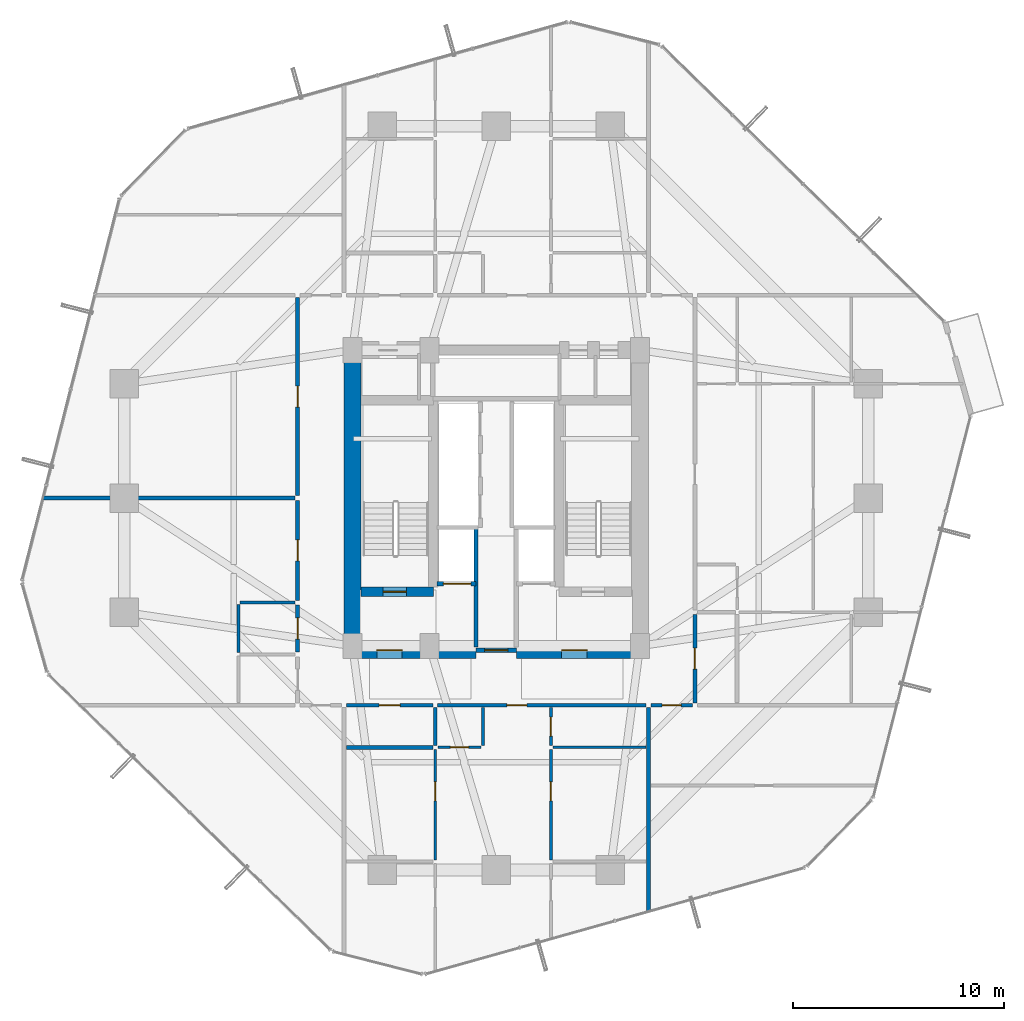
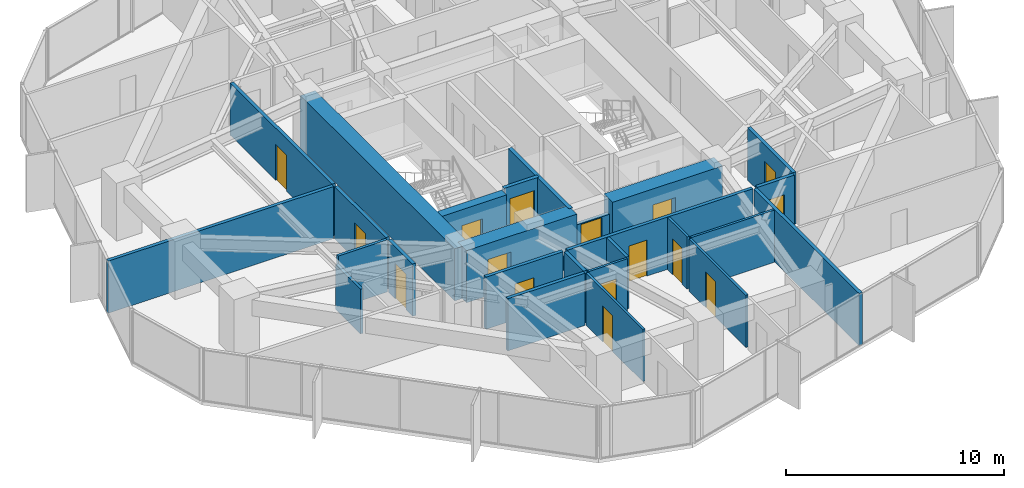
# One storey, part 34 of 39: 26 walls, 16 doors, 16 openings.
"""IFC4 building model written with IfcOpenShell, lengths in metres."""

from ifc_helpers import new_model, si_unit, direction, frame, frame_2d, origin, place, context, subcontext, project, spatial, rectangle, extrude, source, transform, mapped, material, layer, layer_set, type_object, element, fill, save


model = new_model("IFC4")

# Units and contexts
model_context = context("Model", 3, precision=1e-05, world=origin(), true_north=direction((0.0, 1.0)))
body_context = subcontext(model_context, "Body", "Model", "MODEL_VIEW")
ifc_project = project(units=[si_unit("LENGTHUNIT", "METRE"), si_unit("AREAUNIT", "SQUARE_METRE"), si_unit("VOLUMEUNIT", "CUBIC_METRE"), si_unit("PLANEANGLEUNIT", "RADIAN"), si_unit("MASSUNIT", "GRAM", prefix="KILO")], contexts=[model_context])

# Site, building, storey
site_placement = place(None, origin())
site = spatial("IfcSite", under=ifc_project, at=site_placement, CompositionType="ELEMENT")
building_placement = place(site_placement, origin())
building = spatial("IfcBuilding", under=site, at=building_placement, Name="Veraguas Prism Commons", CompositionType="ELEMENT")
storey_placement = place(building_placement, frame((0.0, 0.0, 77.10009765625)))
storey = spatial("IfcBuildingStorey", under=building, at=storey_placement, Name="L21", CompositionType="ELEMENT", Elevation=77.10009765625)

# Wall, opening, door
ifc_material_1 = material(Name="Concrete C60/75", Category="concrete")
ifc_layer_1 = layer(ifc_material_1, 0.449951171875, Name="Core Internal Shear Wall Lower RC 450", Category="concrete")
ifc_layer_set_1 = layer_set([ifc_layer_1], Name="Concrete C60/75")
wall_type_1 = type_object("IfcWallType", Name="Core Internal Shear Wall Lower RC 450", PredefinedType="SHEAR", material=ifc_layer_set_1)
wall_1_placement = place(storey_placement, frame((17.60009765625, 19.574951171875, 0.0), z_axis=(0.0, 0.0, 1.0), x_axis=(1.0, 0.0, 0.0)))
wall_1 = element("IfcWall", 1, at=wall_1_placement, inside=storey, type_object=wall_type_1, Name="Stair ST-01 South Shear Wall L21", PredefinedType="SHEAR", context=body_context, shape_type="SweptSolid", body=[
    extrude(rectangle(XDim=3.4248046875, YDim=0.449951171875, at=frame_2d((1.71240234375, 0.0))), origin(), (0.0, 0.0, 1.0), 2.929931640625),
])
opening_1_placement = place(wall_1_placement, frame((1.050048828125, 0.0, 0.0)))
opening_1 = element("IfcOpeningElement", 2, at=opening_1_placement, cuts=wall_1, Name="Opening DR-05", PredefinedType="OPENING", context=body_context, shape_type="SweptSolid", body=[
    extrude(rectangle(XDim=1.10009765625, YDim=2.030029296875, at=frame_2d((0.550048828125, 1.01513671875))), frame((0.0, 0.23486328125, 0.0), z_axis=(0.0, -1.0, 0.0), x_axis=(1.0, 0.0, 0.0)), (0.0, 0.0, 1.0), 0.469970703125),
])
ifc_material_2 = material(Name="Steel fire-rated door assembly", Category="steel")
door_type_1 = type_object("IfcDoorType", Name="Protected Stair and Refuge Fire Door 1100x2030", OperationType="NOTDEFINED", PredefinedType="DOOR", material=ifc_material_2)
shared_shape_1 = source(origin(), body_context, "Body", "SweptSolid", [
    extrude(rectangle(XDim=1.10009765625, YDim=2.030029296875, at=frame_2d((0.550048828125, 1.01513671875))), frame((0.0, 0.02490234375, 0.0), z_axis=(0.0, -1.0, 0.0), x_axis=(1.0, 0.0, 0.0)), (0.0, 0.0, 1.0), 0.050048828125),
])
door_1_placement = place(opening_1_placement, origin())
door_1 = element("IfcDoor", 3, at=door_1_placement, inside=storey, type_object=door_type_1, Name="Stair ST-01 Enclosure Door L21", OperationType="SINGLE_SWING_LEFT", OverallHeight=2.030029296875, OverallWidth=1.10009765625, PredefinedType="DOOR", context=body_context, shape_type="MappedRepresentation", body=[
    mapped(shared_shape_1, transform((0.0, 0.0, 0.0), scale=1.0)),
])
fill(opening_1, door_1)

# Wall
ifc_layer_2 = layer(ifc_material_1, 0.800048828125, Name="Core Outer Shear Wall Lower RC 800", Category="concrete")
ifc_layer_set_2 = layer_set([ifc_layer_2], Name="Concrete C60/75")
wall_type_2 = type_object("IfcWallType", Name="Core Outer Shear Wall Lower RC 800", PredefinedType="SHEAR", material=ifc_layer_set_2)
wall_2_placement = place(storey_placement, frame((17.199951171875, 16.800048828125, 0.0), z_axis=(0.0, 0.0, 1.0), x_axis=(0.0, 1.0, 0.0)))
element("IfcWall", 4, at=wall_2_placement, inside=storey, type_object=wall_type_2, Name="Central Core West Shear Wall L21", PredefinedType="SHEAR", context=body_context, shape_type="SweptSolid", body=[
    extrude(rectangle(XDim=14.199951171875, YDim=0.800048828125, at=frame_2d((7.10009765625, 0.0))), origin(), (0.0, 0.0, 1.0), 2.929931640625),
])

# Wall, opening, door
wall_3_placement = place(storey_placement, frame((17.199951171875, 16.800048828125, 0.0), z_axis=(0.0, 0.0, 1.0), x_axis=(1.0, 0.0, 0.0)))
wall_3 = element("IfcWall", 5, at=wall_3_placement, inside=storey, type_object=wall_type_2, Name="Central Core South-West Shear Wall L21", PredefinedType="SHEAR", context=body_context, shape_type="SweptSolid", body=[
    extrude(rectangle(XDim=5.85009765625, YDim=0.800048828125, at=frame_2d((2.925048828125, 0.0))), origin(), (0.0, 0.0, 1.0), 2.929931640625),
])
opening_2_placement = place(wall_3_placement, frame((1.14990234375, 0.0, 0.0)))
opening_2 = element("IfcOpeningElement", 6, at=opening_2_placement, cuts=wall_3, Name="Opening DR-06", PredefinedType="OPENING", context=body_context, shape_type="SweptSolid", body=[
    extrude(rectangle(XDim=1.199951171875, YDim=2.030029296875, at=frame_2d((0.60009765625, 1.01513671875))), frame((0.0, 0.409912109375, 0.0), z_axis=(0.0, -1.0, 0.0), x_axis=(1.0, 0.0, 0.0)), (0.0, 0.0, 1.0), 0.820068359375),
])
door_type_2 = type_object("IfcDoorType", Name="Firefighting Lobby Smoke Door 1200x2030", OperationType="NOTDEFINED", PredefinedType="DOOR", material=ifc_material_2)
shared_shape_2 = source(origin(), body_context, "Body", "SweptSolid", [
    extrude(rectangle(XDim=1.199951171875, YDim=2.030029296875, at=frame_2d((0.60009765625, 1.01513671875))), frame((0.0, 0.02490234375, 0.0), z_axis=(0.0, -1.0, 0.0), x_axis=(1.0, 0.0, 0.0)), (0.0, 0.0, 1.0), 0.050048828125),
])
door_2_placement = place(opening_2_placement, origin())
door_2 = element("IfcDoor", 7, at=door_2_placement, inside=storey, type_object=door_type_2, Name="West FF Lobby Door L21", OperationType="SINGLE_SWING_LEFT", OverallHeight=2.030029296875, OverallWidth=1.199951171875, PredefinedType="DOOR", context=body_context, shape_type="MappedRepresentation", body=[
    mapped(shared_shape_2, transform((0.0, 0.0, 0.0), scale=1.0)),
])
fill(opening_2, door_2)

wall_4_placement = place(storey_placement, frame((24.949951171875, 16.800048828125, 0.0), z_axis=(0.0, 0.0, 1.0), x_axis=(1.0, 0.0, 0.0)))
wall_4 = element("IfcWall", 8, at=wall_4_placement, inside=storey, type_object=wall_type_2, Name="Central Core South-East Shear Wall L21", PredefinedType="SHEAR", context=body_context, shape_type="SweptSolid", body=[
    extrude(rectangle(XDim=5.85009765625, YDim=0.800048828125, at=frame_2d((2.925048828125, 0.0))), origin(), (0.0, 0.0, 1.0), 2.929931640625),
])
opening_3_placement = place(wall_4_placement, frame((2.14990234375, 0.0, 0.0)))
opening_3 = element("IfcOpeningElement", 9, at=opening_3_placement, cuts=wall_4, Name="Opening DR-06", PredefinedType="OPENING", context=body_context, shape_type="SweptSolid", body=[
    extrude(rectangle(XDim=1.199951171875, YDim=2.030029296875, at=frame_2d((0.60009765625, 1.01513671875))), frame((0.0, 0.409912109375, 0.0), z_axis=(0.0, -1.0, 0.0), x_axis=(1.0, 0.0, 0.0)), (0.0, 0.0, 1.0), 0.820068359375),
])
door_3_placement = place(opening_3_placement, origin())
door_3 = element("IfcDoor", 10, at=door_3_placement, inside=storey, type_object=door_type_2, Name="East FF Lobby Door L21", OperationType="SINGLE_SWING_LEFT", OverallHeight=2.030029296875, OverallWidth=1.199951171875, PredefinedType="DOOR", context=body_context, shape_type="MappedRepresentation", body=[
    mapped(shared_shape_2, transform((0.0, 0.0, 0.0), scale=1.0)),
])
fill(opening_3, door_3)

# Wall
ifc_material_3 = material(Name="Autoclaved aerated masonry block 10 MPa", Category="masonry")
ifc_layer_3 = layer(ifc_material_3, 0.179931640625, Name="Corridor and Inter-Tenancy Partition 180", Category="masonry")
ifc_layer_set_3 = layer_set([ifc_layer_3], Name="Autoclaved aerated masonry block 10 MPa")
wall_type_3 = type_object("IfcWallType", Name="Corridor and Inter-Tenancy Partition 180", PredefinedType="PARTITIONING", material=ifc_layer_set_3)
wall_5_placement = place(storey_placement, frame((31.199951171875, 14.080078125, 0.0), z_axis=(0.0, 0.0, 1.0), x_axis=(0.0, -1.0, 0.0)))
element("IfcWall", 11, at=wall_5_placement, inside=storey, type_object=wall_type_3, Name="WL-L21-PT002", PredefinedType="PARTITIONING", context=body_context, shape_type="SweptSolid", body=[
    extrude(rectangle(XDim=9.677978515625, YDim=0.179931640625, at=frame_2d((4.8388671875, 0.0))), origin(), (0.0, 0.0, 1.0), 2.929931640625),
])

# Wall, opening, door
wall_6_placement = place(storey_placement, frame((16.909912109375, 14.199951171875, 0.0), z_axis=(0.0, 0.0, 1.0), x_axis=(1.0, 0.0, 0.0)))
wall_6 = element("IfcWall", 12, at=wall_6_placement, inside=storey, type_object=wall_type_3, Name="WL-L21-PT003", PredefinedType="PARTITIONING", context=body_context, shape_type="SweptSolid", body=[
    extrude(rectangle(XDim=4.10009765625, YDim=0.179931640625, at=frame_2d((2.050048828125, 0.0))), origin(), (0.0, 0.0, 1.0), 2.929931640625),
])
opening_4_placement = place(wall_6_placement, frame((1.550048828125, 0.0, 0.0)))
opening_4 = element("IfcOpeningElement", 13, at=opening_4_placement, cuts=wall_6, Name="Opening DR-13", PredefinedType="OPENING", context=body_context, shape_type="SweptSolid", body=[
    extrude(rectangle(XDim=1.0, YDim=2.010009765625, at=frame_2d((0.5, 1.0048828125))), frame((0.0, 0.099853515625, 0.0), z_axis=(0.0, -1.0, 0.0), x_axis=(1.0, 0.0, 0.0)), (0.0, 0.0, 1.0), 0.199951171875),
])
door_type_3 = type_object("IfcDoorType", Name="Core Accessible WC and Clinic Fire Door 1000x2010", OperationType="NOTDEFINED", PredefinedType="DOOR", material=ifc_material_2)
shared_shape_3 = source(origin(), body_context, "Body", "SweptSolid", [
    extrude(rectangle(XDim=1.0, YDim=2.010009765625, at=frame_2d((0.5, 1.0048828125))), frame((0.0, 0.02490234375, 0.0), z_axis=(0.0, -1.0, 0.0), x_axis=(1.0, 0.0, 0.0)), (0.0, 0.0, 1.0), 0.050048828125),
])
door_4_placement = place(opening_4_placement, origin())
door_4 = element("IfcDoor", 14, at=door_4_placement, inside=storey, type_object=door_type_3, Name="Residents Study Alcove 21A Door", OperationType="SINGLE_SWING_LEFT", OverallHeight=2.010009765625, OverallWidth=1.0, PredefinedType="DOOR", context=body_context, shape_type="MappedRepresentation", body=[
    mapped(shared_shape_3, transform((0.0, 0.0, 0.0), scale=1.0)),
])
fill(opening_4, door_4)

wall_7_placement = place(storey_placement, frame((21.22998046875, 14.199951171875, 0.0), z_axis=(0.0, 0.0, 1.0), x_axis=(1.0, 0.0, 0.0)))
wall_7 = element("IfcWall", 15, at=wall_7_placement, inside=storey, type_object=wall_type_3, Name="WL-L21-PT004", PredefinedType="PARTITIONING", context=body_context, shape_type="SweptSolid", body=[
    extrude(rectangle(XDim=9.860107421875, YDim=0.179931640625, at=frame_2d((4.93017578125, 0.0))), origin(), (0.0, 0.0, 1.0), 2.929931640625),
])
opening_5_placement = place(wall_7_placement, frame((3.27587890625, 0.0, 0.0)))
opening_5 = element("IfcOpeningElement", 16, at=opening_5_placement, cuts=wall_7, Name="Opening DR-01", PredefinedType="OPENING", context=body_context, shape_type="SweptSolid", body=[
    extrude(rectangle(XDim=0.949951171875, YDim=2.02001953125, at=frame_2d((0.47509765625, 1.010009765625))), frame((0.0, 0.099853515625, 0.0), z_axis=(0.0, -1.0, 0.0), x_axis=(1.0, 0.0, 0.0)), (0.0, 0.0, 1.0), 0.199951171875),
])
ifc_material_4 = material(Name="Anodised aluminium EN AW-6063 T6", Category="aluminium")
door_type_4 = type_object("IfcDoorType", Name="Apartment Entrance Fire Door 950x2020", OperationType="NOTDEFINED", PredefinedType="DOOR", material=ifc_material_4)
shared_shape_4 = source(origin(), body_context, "Body", "SweptSolid", [
    extrude(rectangle(XDim=0.949951171875, YDim=2.02001953125, at=frame_2d((0.47509765625, 1.010009765625))), frame((0.0, 0.02490234375, 0.0), z_axis=(0.0, -1.0, 0.0), x_axis=(1.0, 0.0, 0.0)), (0.0, 0.0, 1.0), 0.050048828125),
])
door_5_placement = place(opening_5_placement, origin())
door_5 = element("IfcDoor", 17, at=door_5_placement, inside=storey, type_object=door_type_4, Name="Flat 21A Entrance Door", OperationType="SINGLE_SWING_RIGHT", OverallHeight=2.02001953125, OverallWidth=0.949951171875, PredefinedType="DOOR", context=body_context, shape_type="MappedRepresentation", body=[
    mapped(shared_shape_4, transform((0.0, 0.0, 0.0), scale=1.0)),
])
fill(opening_5, door_5)

# Walls
wall_8_placement = place(storey_placement, frame((16.919921875, 12.199951171875, 0.0), z_axis=(0.0, 0.0, 1.0), x_axis=(1.0, 0.0, 0.0)))
element("IfcWall", 18, at=wall_8_placement, inside=storey, type_object=wall_type_3, Name="WL-L21-PT009", PredefinedType="PARTITIONING", context=body_context, shape_type="SweptSolid", body=[
    extrude(rectangle(XDim=4.10009765625, YDim=0.179931640625, at=frame_2d((2.050048828125, 0.0))), origin(), (0.0, 0.0, 1.0), 2.929931640625),
])
wall_9_placement = place(storey_placement, frame((21.1201171875, 14.080078125, 0.0), z_axis=(0.0, 0.0, 1.0), x_axis=(0.0, -1.0, 0.0)))
element("IfcWall", 19, at=wall_9_placement, inside=storey, type_object=wall_type_3, Name="WL-L21-PT010", PredefinedType="PARTITIONING", context=body_context, shape_type="SweptSolid", body=[
    extrude(rectangle(XDim=1.800048828125, YDim=0.179931640625, at=frame_2d((0.89990234375, 0.0))), origin(), (0.0, 0.0, 1.0), 2.929931640625),
])

# Wall, opening, door
wall_10_placement = place(storey_placement, frame((14.60009765625, 16.7099609375, 0.0), z_axis=(0.0, 0.0, 1.0), x_axis=(0.0, 1.0, 0.0)))
wall_10 = element("IfcWall", 20, at=wall_10_placement, inside=storey, type_object=wall_type_3, Name="WL-L21-PT036", PredefinedType="PARTITIONING", context=body_context, shape_type="SweptSolid", body=[
    extrude(rectangle(XDim=2.22998046875, YDim=0.179931640625, at=frame_2d((1.114990234375, 0.0))), origin(), (0.0, 0.0, 1.0), 2.929931640625),
])
opening_6_placement = place(wall_10_placement, frame((0.614990234375, 0.0, 0.0)))
opening_6 = element("IfcOpeningElement", 21, at=opening_6_placement, cuts=wall_10, Name="Opening DR-13", PredefinedType="OPENING", context=body_context, shape_type="SweptSolid", body=[
    extrude(rectangle(XDim=1.0, YDim=2.010009765625, at=frame_2d((0.5, 1.0048828125))), frame((0.0, 0.099853515625, 0.0), z_axis=(0.0, -1.0, 0.0), x_axis=(1.0, 0.0, 0.0)), (0.0, 0.0, 1.0), 0.199951171875),
])
door_6_placement = place(opening_6_placement, origin())
door_6 = element("IfcDoor", 22, at=door_6_placement, inside=storey, type_object=door_type_3, Name="Accessible WC L21 Door", OperationType="SINGLE_SWING_RIGHT", OverallHeight=2.010009765625, OverallWidth=1.0, PredefinedType="DOOR", context=body_context, shape_type="MappedRepresentation", body=[
    mapped(shared_shape_3, transform((0.0, 0.0, 0.0), scale=1.0)),
])
fill(opening_6, door_6)

wall_11_placement = place(storey_placement, frame((14.60009765625, 19.159912109375, 0.0), z_axis=(0.0, 0.0, 1.0), x_axis=(0.0, 1.0, 0.0)))
wall_11 = element("IfcWall", 23, at=wall_11_placement, inside=storey, type_object=wall_type_3, Name="WL-L21-PT037", PredefinedType="PARTITIONING", context=body_context, shape_type="SweptSolid", body=[
    extrude(rectangle(XDim=4.72998046875, YDim=0.179931640625, at=frame_2d((2.364990234375, 0.0))), origin(), (0.0, 0.0, 1.0), 2.929931640625),
])
opening_7_placement = place(wall_11_placement, frame((1.864990234375, 0.0, 0.0)))
opening_7 = element("IfcOpeningElement", 24, at=opening_7_placement, cuts=wall_11, Name="Opening DR-13", PredefinedType="OPENING", context=body_context, shape_type="SweptSolid", body=[
    extrude(rectangle(XDim=1.0, YDim=2.010009765625, at=frame_2d((0.5, 1.0048828125))), frame((0.0, 0.099853515625, 0.0), z_axis=(0.0, -1.0, 0.0), x_axis=(1.0, 0.0, 0.0)), (0.0, 0.0, 1.0), 0.199951171875),
])
door_7_placement = place(opening_7_placement, origin())
door_7 = element("IfcDoor", 25, at=door_7_placement, inside=storey, type_object=door_type_3, Name="Quiet Study L21 Door", OperationType="SINGLE_SWING_LEFT", OverallHeight=2.010009765625, OverallWidth=1.0, PredefinedType="DOOR", context=body_context, shape_type="MappedRepresentation", body=[
    mapped(shared_shape_3, transform((0.0, 0.0, 0.0), scale=1.0)),
])
fill(opening_7, door_7)

wall_12_placement = place(storey_placement, frame((14.60009765625, 24.110107421875, 0.0), z_axis=(0.0, 0.0, 1.0), x_axis=(0.0, 1.0, 0.0)))
wall_12 = element("IfcWall", 26, at=wall_12_placement, inside=storey, type_object=wall_type_3, Name="WL-L21-PT038", PredefinedType="PARTITIONING", context=body_context, shape_type="SweptSolid", body=[
    extrude(rectangle(XDim=9.3798828125, YDim=0.179931640625, at=frame_2d((4.68994140625, 0.0))), origin(), (0.0, 0.0, 1.0), 2.929931640625),
])
opening_8_placement = place(wall_12_placement, frame((4.18994140625, 0.0, 0.0)))
opening_8 = element("IfcOpeningElement", 27, at=opening_8_placement, cuts=wall_12, Name="Opening DR-13", PredefinedType="OPENING", context=body_context, shape_type="SweptSolid", body=[
    extrude(rectangle(XDim=1.0, YDim=2.010009765625, at=frame_2d((0.5, 1.0048828125))), frame((0.0, 0.099853515625, 0.0), z_axis=(0.0, -1.0, 0.0), x_axis=(1.0, 0.0, 0.0)), (0.0, 0.0, 1.0), 0.199951171875),
])
door_8_placement = place(opening_8_placement, origin())
door_8 = element("IfcDoor", 28, at=door_8_placement, inside=storey, type_object=door_type_3, Name="Reading Lounge L21 Door", OperationType="SINGLE_SWING_RIGHT", OverallHeight=2.010009765625, OverallWidth=1.0, PredefinedType="DOOR", context=body_context, shape_type="MappedRepresentation", body=[
    mapped(shared_shape_3, transform((0.0, 0.0, 0.0), scale=1.0)),
])
fill(opening_8, door_8)

# Wall
wall_13_placement = place(storey_placement, frame((14.47998046875, 24.0, 0.0), z_axis=(0.0, 0.0, 1.0), x_axis=(-1.0, 0.0, 0.0)))
element("IfcWall", 29, at=wall_13_placement, inside=storey, type_object=wall_type_3, Name="WL-L21-PT043", PredefinedType="PARTITIONING", context=body_context, shape_type="SweptSolid", body=[
    extrude(rectangle(XDim=11.962158203125, YDim=0.179931640625, at=frame_2d((5.98095703125, 0.0))), origin(), (0.0, 0.0, 1.0), 2.929931640625),
])

# Wall, opening, door
wall_14_placement = place(storey_placement, frame((33.39990234375, 14.31005859375, 0.0), z_axis=(0.0, 0.0, 1.0), x_axis=(0.0, 1.0, 0.0)))
wall_14 = element("IfcWall", 30, at=wall_14_placement, inside=storey, type_object=wall_type_3, Name="WL-L21-PT046", PredefinedType="PARTITIONING", context=body_context, shape_type="SweptSolid", body=[
    extrude(rectangle(XDim=4.179931640625, YDim=0.179931640625, at=frame_2d((2.08984375, 0.0))), origin(), (0.0, 0.0, 1.0), 2.929931640625),
])
opening_9_placement = place(wall_14_placement, frame((1.590087890625, 0.0, 0.0)))
opening_9 = element("IfcOpeningElement", 31, at=opening_9_placement, cuts=wall_14, Name="Opening DR-13", PredefinedType="OPENING", context=body_context, shape_type="SweptSolid", body=[
    extrude(rectangle(XDim=1.0, YDim=2.010009765625, at=frame_2d((0.5, 1.0048828125))), frame((0.0, 0.099853515625, 0.0), z_axis=(0.0, -1.0, 0.0), x_axis=(1.0, 0.0, 0.0)), (0.0, 0.0, 1.0), 0.199951171875),
])
door_9_placement = place(opening_9_placement, origin())
door_9 = element("IfcDoor", 32, at=door_9_placement, inside=storey, type_object=door_type_3, Name="Residents Study Alcove 21C Door", OperationType="SINGLE_SWING_LEFT", OverallHeight=2.010009765625, OverallWidth=1.0, PredefinedType="DOOR", context=body_context, shape_type="MappedRepresentation", body=[
    mapped(shared_shape_3, transform((0.0, 0.0, 0.0), scale=1.0)),
])
fill(opening_9, door_9)

wall_15_placement = place(storey_placement, frame((31.320068359375, 14.199951171875, 0.0), z_axis=(0.0, 0.0, 1.0), x_axis=(1.0, 0.0, 0.0)))
wall_15 = element("IfcWall", 33, at=wall_15_placement, inside=storey, type_object=wall_type_3, Name="WL-L21-PT062", PredefinedType="PARTITIONING", context=body_context, shape_type="SweptSolid", body=[
    extrude(rectangle(XDim=1.9599609375, YDim=0.179931640625, at=frame_2d((0.97998046875, 0.0))), origin(), (0.0, 0.0, 1.0), 2.929931640625),
])
opening_10_placement = place(wall_15_placement, frame((0.530029296875, 0.0, 0.0)))
opening_10 = element("IfcOpeningElement", 34, at=opening_10_placement, cuts=wall_15, Name="Opening DR-14", PredefinedType="OPENING", context=body_context, shape_type="SweptSolid", body=[
    extrude(rectangle(XDim=0.89990234375, YDim=2.010009765625, at=frame_2d((0.449951171875, 1.0048828125))), frame((0.0, 0.099853515625, 0.0), z_axis=(0.0, -1.0, 0.0), x_axis=(1.0, 0.0, 0.0)), (0.0, 0.0, 1.0), 0.199951171875),
])
door_type_5 = type_object("IfcDoorType", Name="Core Service Room Fire Door 900x2010", OperationType="NOTDEFINED", PredefinedType="DOOR", material=ifc_material_2)
shared_shape_5 = source(origin(), body_context, "Body", "SweptSolid", [
    extrude(rectangle(XDim=0.89990234375, YDim=2.010009765625, at=frame_2d((0.449951171875, 1.0048828125))), frame((0.0, 0.02490234375, 0.0), z_axis=(0.0, -1.0, 0.0), x_axis=(1.0, 0.0, 0.0)), (0.0, 0.0, 1.0), 0.050048828125),
])
door_10_placement = place(opening_10_placement, origin())
door_10 = element("IfcDoor", 35, at=door_10_placement, inside=storey, type_object=door_type_5, Name="Shared Laundry Room Door", OperationType="SINGLE_SWING_LEFT", OverallHeight=2.010009765625, OverallWidth=0.89990234375, PredefinedType="DOOR", context=body_context, shape_type="MappedRepresentation", body=[
    mapped(shared_shape_5, transform((0.0, 0.0, 0.0), scale=1.0)),
])
fill(opening_10, door_10)

ifc_material_5 = material(Name="Lightweight acoustic gypsum board")
ifc_layer_4 = layer(ifc_material_5, 0.125, Name="Internal Apartment Room Partition 125")
ifc_layer_set_4 = layer_set([ifc_layer_4], Name="Lightweight acoustic gypsum board")
wall_type_4 = type_object("IfcWallType", Name="Internal Apartment Room Partition 125", PredefinedType="PARTITIONING", material=ifc_layer_set_4)
wall_16_placement = place(storey_placement, frame((21.1201171875, 12.10009765625, 0.0), z_axis=(0.0, 0.0, 1.0), x_axis=(0.0, -1.0, 0.0)))
wall_16 = element("IfcWall", 36, at=wall_16_placement, inside=storey, type_object=wall_type_4, Name="WL-L21-PT011", PredefinedType="PARTITIONING", context=body_context, shape_type="SweptSolid", body=[
    extrude(rectangle(XDim=5.22021484375, YDim=0.125, at=frame_2d((2.610107421875, 0.0))), origin(), (0.0, 0.0, 1.0), 2.929931640625),
])
opening_11_placement = place(wall_16_placement, frame((1.53271484375, 0.0, 0.0)))
opening_11 = element("IfcOpeningElement", 37, at=opening_11_placement, cuts=wall_16, Name="Opening DR-02", PredefinedType="OPENING", context=body_context, shape_type="SweptSolid", body=[
    extrude(rectangle(XDim=0.89990234375, YDim=2.010009765625, at=frame_2d((0.449951171875, 1.0048828125))), frame((0.0, 0.072509765625, 0.0), z_axis=(0.0, -1.0, 0.0), x_axis=(1.0, 0.0, 0.0)), (0.0, 0.0, 1.0), 0.14501953125),
])
ifc_material_6 = material(Name="Timber solid core hardwood", Category="wood")
door_type_6 = type_object("IfcDoorType", Name="Internal Habitable Room Door 900x2010", OperationType="NOTDEFINED", PredefinedType="DOOR", material=ifc_material_6)
door_11_placement = place(opening_11_placement, origin())
door_11 = element("IfcDoor", 38, at=door_11_placement, inside=storey, type_object=door_type_6, Name="Flat 21A Bedroom 2 Door", OperationType="SINGLE_SWING_LEFT", OverallHeight=2.010009765625, OverallWidth=0.89990234375, PredefinedType="DOOR", context=body_context, shape_type="MappedRepresentation", body=[
    mapped(shared_shape_5, transform((0.0, 0.0, 0.0), scale=1.0)),
])
fill(opening_11, door_11)

wall_17_placement = place(storey_placement, frame((21.239990234375, 12.199951171875, 0.0), z_axis=(0.0, 0.0, 1.0), x_axis=(1.0, 0.0, 0.0)))
wall_17 = element("IfcWall", 39, at=wall_17_placement, inside=storey, type_object=wall_type_4, Name="WL-L21-PT013", PredefinedType="PARTITIONING", context=body_context, shape_type="SweptSolid", body=[
    extrude(rectangle(XDim=2.050048828125, YDim=0.125, at=frame_2d((1.02490234375, 0.0))), origin(), (0.0, 0.0, 1.0), 2.929931640625),
])
opening_12_placement = place(wall_17_placement, frame((0.594970703125, 0.0, 0.0)))
opening_12 = element("IfcOpeningElement", 40, at=opening_12_placement, cuts=wall_17, Name="Opening DR-03", PredefinedType="OPENING", context=body_context, shape_type="SweptSolid", body=[
    extrude(rectangle(XDim=0.860107421875, YDim=2.010009765625, at=frame_2d((0.43017578125, 1.0048828125))), frame((0.0, 0.072509765625, 0.0), z_axis=(0.0, -1.0, 0.0), x_axis=(1.0, 0.0, 0.0)), (0.0, 0.0, 1.0), 0.14501953125),
])
ifc_material_7 = material(Name="Timber moisture-resistant leaf", Category="wood")
door_type_7 = type_object("IfcDoorType", Name="Internal Bathroom Door 860x2010", OperationType="NOTDEFINED", PredefinedType="DOOR", material=ifc_material_7)
shared_shape_6 = source(origin(), body_context, "Body", "SweptSolid", [
    extrude(rectangle(XDim=0.860107421875, YDim=2.010009765625, at=frame_2d((0.43017578125, 1.0048828125))), frame((0.0, 0.02490234375, 0.0), z_axis=(0.0, -1.0, 0.0), x_axis=(1.0, 0.0, 0.0)), (0.0, 0.0, 1.0), 0.050048828125),
])
door_12_placement = place(opening_12_placement, origin())
door_12 = element("IfcDoor", 41, at=door_12_placement, inside=storey, type_object=door_type_7, Name="Flat 21A Bathroom Door", OperationType="SINGLE_SWING_RIGHT", OverallHeight=2.010009765625, OverallWidth=0.860107421875, PredefinedType="DOOR", context=body_context, shape_type="MappedRepresentation", body=[
    mapped(shared_shape_6, transform((0.0, 0.0, 0.0), scale=1.0)),
])
fill(opening_12, door_12)

wall_18_placement = place(storey_placement, frame((26.592041015625, 14.080078125, 0.0), z_axis=(0.0, 0.0, 1.0), x_axis=(0.0, -1.0, 0.0)))
wall_18 = element("IfcWall", 42, at=wall_18_placement, inside=storey, type_object=wall_type_4, Name="WL-L21-PT014", PredefinedType="PARTITIONING", context=body_context, shape_type="SweptSolid", body=[
    extrude(rectangle(XDim=1.800048828125, YDim=0.125, at=frame_2d((0.89990234375, 0.0))), origin(), (0.0, 0.0, 1.0), 2.929931640625),
])
opening_13_placement = place(wall_18_placement, frame((0.449951171875, 0.0, 0.0)))
opening_13 = element("IfcOpeningElement", 43, at=opening_13_placement, cuts=wall_18, Name="Opening DR-02", PredefinedType="OPENING", context=body_context, shape_type="SweptSolid", body=[
    extrude(rectangle(XDim=0.89990234375, YDim=2.010009765625, at=frame_2d((0.449951171875, 1.0048828125))), frame((0.0, 0.072509765625, 0.0), z_axis=(0.0, -1.0, 0.0), x_axis=(1.0, 0.0, 0.0)), (0.0, 0.0, 1.0), 0.14501953125),
])
door_13_placement = place(opening_13_placement, origin())
door_13 = element("IfcDoor", 44, at=door_13_placement, inside=storey, type_object=door_type_6, Name="Flat 21A Kitchen Door", OperationType="SINGLE_SWING_LEFT", OverallHeight=2.010009765625, OverallWidth=0.89990234375, PredefinedType="DOOR", context=body_context, shape_type="MappedRepresentation", body=[
    mapped(shared_shape_5, transform((0.0, 0.0, 0.0), scale=1.0)),
])
fill(opening_13, door_13)

# Wall
wall_19_placement = place(storey_placement, frame((26.69189453125, 12.199951171875, 0.0), z_axis=(0.0, 0.0, 1.0), x_axis=(1.0, 0.0, 0.0)))
element("IfcWall", 45, at=wall_19_placement, inside=storey, type_object=wall_type_4, Name="WL-L21-PT015", PredefinedType="PARTITIONING", context=body_context, shape_type="SweptSolid", body=[
    extrude(rectangle(XDim=4.38818359375, YDim=0.125, at=frame_2d((2.194091796875, 0.0))), origin(), (0.0, 0.0, 1.0), 2.929931640625),
])

# Wall, opening, door
wall_20_placement = place(storey_placement, frame((26.592041015625, 12.10009765625, 0.0), z_axis=(0.0, 0.0, 1.0), x_axis=(0.0, -1.0, 0.0)))
wall_20 = element("IfcWall", 46, at=wall_20_placement, inside=storey, type_object=wall_type_4, Name="WL-L21-PT016", PredefinedType="PARTITIONING", context=body_context, shape_type="SweptSolid", body=[
    extrude(rectangle(XDim=5.22021484375, YDim=0.125, at=frame_2d((2.610107421875, 0.0))), origin(), (0.0, 0.0, 1.0), 2.929931640625),
])
opening_14_placement = place(wall_20_placement, frame((1.53271484375, 0.0, 0.0)))
opening_14 = element("IfcOpeningElement", 47, at=opening_14_placement, cuts=wall_20, Name="Opening DR-02", PredefinedType="OPENING", context=body_context, shape_type="SweptSolid", body=[
    extrude(rectangle(XDim=0.89990234375, YDim=2.010009765625, at=frame_2d((0.449951171875, 1.0048828125))), frame((0.0, 0.072509765625, 0.0), z_axis=(0.0, -1.0, 0.0), x_axis=(1.0, 0.0, 0.0)), (0.0, 0.0, 1.0), 0.14501953125),
])
door_14_placement = place(opening_14_placement, origin())
door_14 = element("IfcDoor", 48, at=door_14_placement, inside=storey, type_object=door_type_6, Name="Flat 21A Bedroom 1 Door", OperationType="SINGLE_SWING_RIGHT", OverallHeight=2.010009765625, OverallWidth=0.89990234375, PredefinedType="DOOR", context=body_context, shape_type="MappedRepresentation", body=[
    mapped(shared_shape_5, transform((0.0, 0.0, 0.0), scale=1.0)),
])
fill(opening_14, door_14)

ifc_layer_5 = layer(ifc_material_3, 0.199951171875, Name="Rated Shaft and Lobby Block Wall 200", Category="masonry")
ifc_layer_set_5 = layer_set([ifc_layer_5], Name="Autoclaved aerated masonry block 10 MPa")
wall_type_5 = type_object("IfcWallType", Name="Rated Shaft and Lobby Block Wall 200", PredefinedType="SOLIDWALL", material=ifc_layer_set_5)
wall_21_placement = place(storey_placement, frame((23.050048828125, 16.800048828125, 0.0), z_axis=(0.0, 0.0, 1.0), x_axis=(1.0, 0.0, 0.0)))
wall_21 = element("IfcWall", 49, at=wall_21_placement, inside=storey, type_object=wall_type_5, Name="Central Core Lobby Entrance Wall L21", PredefinedType="SOLIDWALL", context=body_context, shape_type="SweptSolid", body=[
    extrude(rectangle(XDim=1.89990234375, YDim=0.199951171875, at=frame_2d((0.949951171875, 0.0))), origin(), (0.0, 0.0, 1.0), 2.079833984375),
])
opening_15_placement = place(wall_21_placement, frame((0.39990234375, 0.0, 0.0)))
opening_15 = element("IfcOpeningElement", 50, at=opening_15_placement, cuts=wall_21, Name="Opening DR-05", PredefinedType="OPENING", context=body_context, shape_type="SweptSolid", body=[
    extrude(rectangle(XDim=1.10009765625, YDim=2.030029296875, at=frame_2d((0.550048828125, 1.01513671875))), frame((0.0, 0.10986328125, 0.0), z_axis=(0.0, -1.0, 0.0), x_axis=(1.0, 0.0, 0.0)), (0.0, 0.0, 1.0), 0.219970703125),
])
door_15_placement = place(opening_15_placement, origin())
door_15 = element("IfcDoor", 51, at=door_15_placement, inside=storey, type_object=door_type_1, Name="Central Lobby Door L21", OperationType="SINGLE_SWING_RIGHT", OverallHeight=2.030029296875, OverallWidth=1.10009765625, PredefinedType="DOOR", context=body_context, shape_type="MappedRepresentation", body=[
    mapped(shared_shape_1, transform((0.0, 0.0, 0.0), scale=1.0)),
])
fill(opening_15, door_15)

wall_22_placement = place(storey_placement, frame((21.199951171875, 19.949951171875, 0.0), z_axis=(0.0, 0.0, 1.0), x_axis=(1.0, 0.0, 0.0)))
wall_22 = element("IfcWall", 52, at=wall_22_placement, inside=storey, type_object=wall_type_5, Name="Firefighting Lift FFL-1 Front Wall L21", PredefinedType="SOLIDWALL", context=body_context, shape_type="SweptSolid", body=[
    extrude(rectangle(XDim=1.85009765625, YDim=0.199951171875, at=frame_2d((0.925048828125, 0.0))), origin(), (0.0, 0.0, 1.0), 2.929931640625),
])
opening_16_placement = place(wall_22_placement, frame((0.300048828125, 0.0, 0.0)))
opening_16 = element("IfcOpeningElement", 53, at=opening_16_placement, cuts=wall_22, Name="Opening LD-02", PredefinedType="OPENING", context=body_context, shape_type="SweptSolid", body=[
    extrude(rectangle(XDim=1.300048828125, YDim=2.25, at=frame_2d((0.64990234375, 1.125))), frame((0.0, 0.10986328125, 0.0), z_axis=(0.0, -1.0, 0.0), x_axis=(1.0, 0.0, 0.0)), (0.0, 0.0, 1.0), 0.219970703125),
])
ifc_material_8 = material(Name="Stainless steel AISI 316", Category="steel")
door_type_8 = type_object("IfcDoorType", Name="Firefighting Lift Sliding Landing Door 1300x2250", OperationType="NOTDEFINED", PredefinedType="DOOR", material=ifc_material_8)
shared_shape_7 = source(origin(), body_context, "Body", "SweptSolid", [
    extrude(rectangle(XDim=1.300048828125, YDim=2.25, at=frame_2d((0.64990234375, 1.125))), frame((0.0, 0.02490234375, 0.0), z_axis=(0.0, -1.0, 0.0), x_axis=(1.0, 0.0, 0.0)), (0.0, 0.0, 1.0), 0.050048828125),
])
door_16_placement = place(opening_16_placement, origin())
door_16 = element("IfcDoor", 54, at=door_16_placement, inside=storey, type_object=door_type_8, Name="Firefighting Lift FFL-1 Landing Door L21", OperationType="SLIDING_TO_LEFT", OverallHeight=2.25, OverallWidth=1.300048828125, PredefinedType="DOOR", context=body_context, shape_type="MappedRepresentation", body=[
    mapped(shared_shape_7, transform((0.0, 0.0, 0.0), scale=1.0)),
])
fill(opening_16, door_16)

# Walls
wall_23_placement = place(storey_placement, frame((23.050048828125, 16.949951171875, 0.0), z_axis=(0.0, 0.0, 1.0), x_axis=(0.0, 1.0, 0.0)))
element("IfcWall", 55, at=wall_23_placement, inside=storey, type_object=wall_type_5, Name="West FF Lobby Divider Wall L21", PredefinedType="SOLIDWALL", context=body_context, shape_type="SweptSolid", body=[
    extrude(rectangle(XDim=5.60009765625, YDim=0.199951171875, at=frame_2d((2.800048828125, 0.0))), origin(), (0.0, 0.0, 1.0), 2.929931640625),
])
ifc_layer_6 = layer(ifc_material_5, 0.14990234375, Name="Wet Room and Clinic Acoustic Partition 150")
ifc_layer_set_6 = layer_set([ifc_layer_6], Name="Lightweight acoustic gypsum board")
wall_type_6 = type_object("IfcWallType", Name="Wet Room and Clinic Acoustic Partition 150", PredefinedType="PARTITIONING", material=ifc_layer_set_6)
wall_24_placement = place(storey_placement, frame((23.3701171875, 14.080078125, 0.0), z_axis=(0.0, 0.0, 1.0), x_axis=(0.0, -1.0, 0.0)))
element("IfcWall", 56, at=wall_24_placement, inside=storey, type_object=wall_type_6, Name="WL-L21-PT012", PredefinedType="PARTITIONING", context=body_context, shape_type="SweptSolid", body=[
    extrude(rectangle(XDim=1.800048828125, YDim=0.14990234375, at=frame_2d((0.89990234375, 0.0))), origin(), (0.0, 0.0, 1.0), 2.929931640625),
])
wall_25_placement = place(storey_placement, frame((14.47998046875, 19.050048828125, 0.0), z_axis=(0.0, 0.0, 1.0), x_axis=(-1.0, 0.0, 0.0)))
element("IfcWall", 57, at=wall_25_placement, inside=storey, type_object=wall_type_6, Name="WL-L21-PT040", PredefinedType="PARTITIONING", context=body_context, shape_type="SweptSolid", body=[
    extrude(rectangle(XDim=2.60009765625, YDim=0.14990234375, at=frame_2d((1.300048828125, 0.0))), origin(), (0.0, 0.0, 1.0), 2.929931640625),
])
wall_26_placement = place(storey_placement, frame((11.800048828125, 16.679931640625, 0.0), z_axis=(0.0, 0.0, 1.0), x_axis=(0.0, 1.0, 0.0)))
element("IfcWall", 58, at=wall_26_placement, inside=storey, type_object=wall_type_6, Name="WL-L21-PT042", PredefinedType="PARTITIONING", context=body_context, shape_type="SweptSolid", body=[
    extrude(rectangle(XDim=2.2900390625, YDim=0.14990234375, at=frame_2d((1.14501953125, 0.0))), origin(), (0.0, 0.0, 1.0), 2.510009765625),
])

save(model, "model.ifc")
